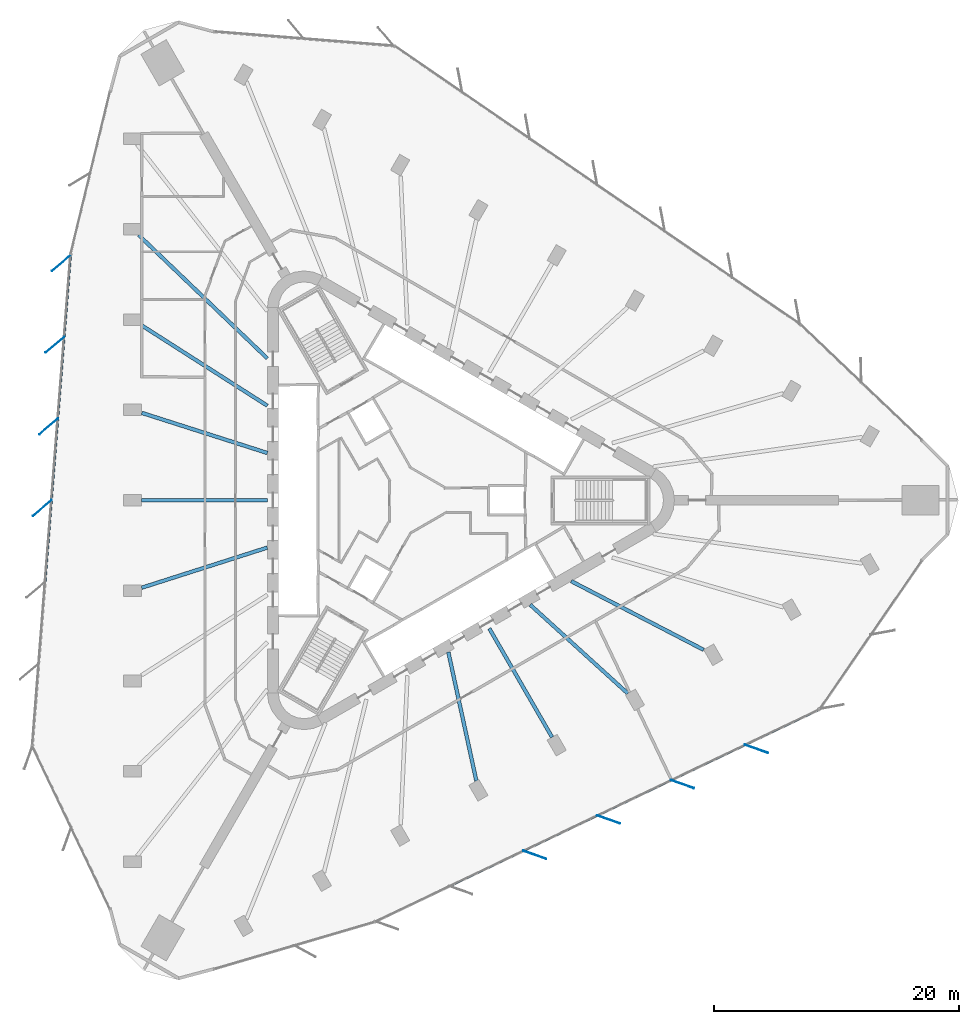
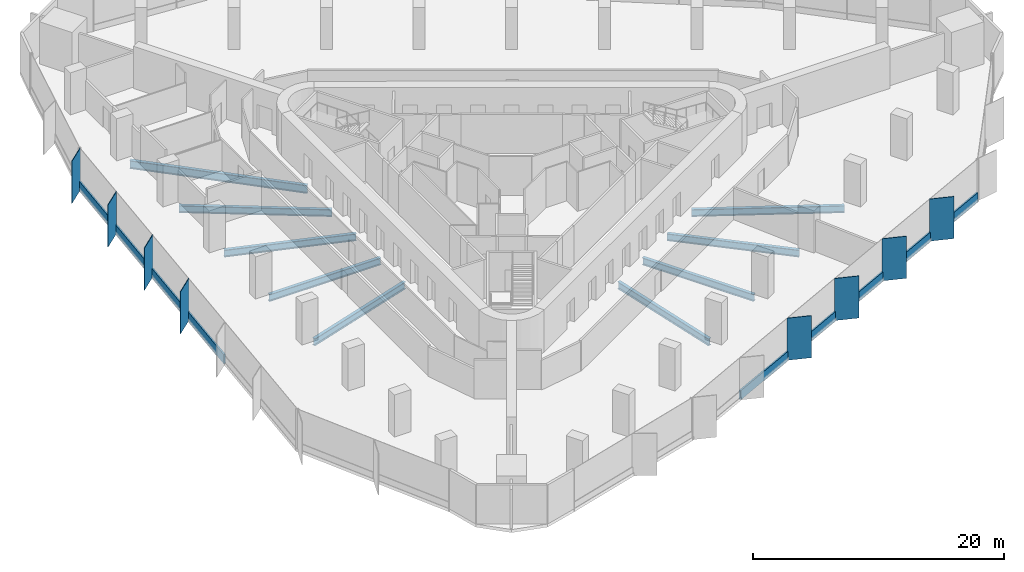
# One storey, part 3 of 14: 17 members, 9 beams, 2 elements without a shape of their own.
"""IFC4 building model written with IfcOpenShell, lengths in metres."""

from ifc_helpers import new_model, si_unit, direction, frame, origin, origin_2d, place, context, subcontext, project, spatial, rectangle, i_section, extrude, material, material_profile, profile_set, type_object, element, aggregate, save


model = new_model("IFC4")

# Units and contexts
model_context = context("Model", 3, precision=1e-05, world=origin(), true_north=direction((0.0, 1.0)))
body_context = subcontext(model_context, "Body", "Model", "MODEL_VIEW")
ifc_project = project(units=[si_unit("LENGTHUNIT", "METRE"), si_unit("AREAUNIT", "SQUARE_METRE"), si_unit("VOLUMEUNIT", "CUBIC_METRE"), si_unit("PLANEANGLEUNIT", "RADIAN"), si_unit("MASSUNIT", "GRAM", prefix="KILO")], contexts=[model_context])

# Site, building, storey
site_placement = place(None, origin())
site = spatial("IfcSite", under=ifc_project, at=site_placement, CompositionType="ELEMENT")
building_placement = place(site_placement, origin())
building = spatial("IfcBuilding", under=site, at=building_placement, Name="Tanit Gate Tower", CompositionType="ELEMENT")
storey_placement = place(building_placement, frame((0.0, 0.0, 86.5)))
storey = spatial("IfcBuildingStorey", under=building, at=storey_placement, Name="L17", CompositionType="ELEMENT", Elevation=86.5)

# Curtain wall, members
ifc_material_1 = material(Name="Aluminium bronze anodised and glass", Category="aluminium")
curtain_wall_type = type_object("IfcCurtainWallType", Name="Curtain wall typical low", PredefinedType="NOTDEFINED", material=ifc_material_1)
curtain_wall_1_placement = place(storey_placement, origin())
curtain_wall_1 = element("IfcCurtainWall", 1, at=curtain_wall_1_placement, inside=storey, type_object=curtain_wall_type, Name="Curtain wall L17 W2", PredefinedType="NOTDEFINED")
ifc_material_2 = material(Name="Aluminium bronze anodised", Category="aluminium")
ifc_material_profile_1 = material_profile(ifc_material_2, rectangle(XDim=2.0, YDim=0.055908203125, at=origin_2d()), Name="56x2000 bronze fin mullion")
ifc_profile_set_1 = profile_set([ifc_material_profile_1], Name="Aluminium bronze anodised")
member_type_1 = type_object("IfcMemberType", Name="FIN MULLION 56x2000 bronze", PredefinedType="MULLION", material=ifc_profile_set_1)
member_1_placement = place(storey_placement, frame((-28.95263671875, 19.40625, -0.300048828125), z_axis=(0.0, 0.0, 1.0), x_axis=(0.75991198916, 0.650025975428, 0.0)))
member_1 = element("IfcMember", 2, at=member_1_placement, type_object=member_type_1, Name="Fin mullion L17 W2.1", PredefinedType="MULLION", context=body_context, shape_type="SweptSolid", body=[
    extrude(rectangle(XDim=2.0, YDim=0.055908203125, at=origin_2d()), origin(), (0.0, 0.0, 1.0), 4.10009765625),
])
member_2_placement = place(storey_placement, frame((-29.47314453125, 12.726318359375, -0.300048828125), z_axis=(0.0, 0.0, 1.0), x_axis=(0.75991198916, 0.650025975428, 0.0)))
member_2 = element("IfcMember", 3, at=member_2_placement, type_object=member_type_1, Name="Fin mullion L17 W2.2", PredefinedType="MULLION", context=body_context, shape_type="SweptSolid", body=[
    extrude(rectangle(XDim=2.0, YDim=0.055908203125, at=origin_2d()), origin(), (0.0, 0.0, 1.0), 4.10009765625),
])
member_3_placement = place(storey_placement, frame((-29.99365234375, 6.04638671875, -0.300048828125), z_axis=(0.0, 0.0, 1.0), x_axis=(0.75991198916, 0.650025975428, 0.0)))
member_3 = element("IfcMember", 4, at=member_3_placement, type_object=member_type_1, Name="Fin mullion L17 W2.3", PredefinedType="MULLION", context=body_context, shape_type="SweptSolid", body=[
    extrude(rectangle(XDim=2.0, YDim=0.055908203125, at=origin_2d()), origin(), (0.0, 0.0, 1.0), 4.10009765625),
])
member_4_placement = place(storey_placement, frame((-30.514404296875, -0.633544921875, -0.300048828125), z_axis=(0.0, 0.0, 1.0), x_axis=(0.75991198916, 0.650025975428, 0.0)))
member_4 = element("IfcMember", 5, at=member_4_placement, type_object=member_type_1, Name="Fin mullion L17 W2.4", PredefinedType="MULLION", context=body_context, shape_type="SweptSolid", body=[
    extrude(rectangle(XDim=2.0, YDim=0.055908203125, at=origin_2d()), origin(), (0.0, 0.0, 1.0), 4.10009765625),
])

curtain_wall_2_placement = place(storey_placement, origin())
curtain_wall_2 = element("IfcCurtainWall", 6, at=curtain_wall_2_placement, inside=storey, type_object=curtain_wall_type, Name="Curtain wall L17 SE2", PredefinedType="NOTDEFINED")
member_5_placement = place(storey_placement, frame((9.760498046875, -28.99853515625, -0.300048828125), z_axis=(0.0, 0.0, 1.0), x_axis=(-0.94289500242, 0.333090099539, 0.0)))
member_5 = element("IfcMember", 7, at=member_5_placement, type_object=member_type_1, Name="Fin mullion L17 SE2.3", PredefinedType="MULLION", context=body_context, shape_type="SweptSolid", body=[
    extrude(rectangle(XDim=2.0, YDim=0.055908203125, at=origin_2d()), origin(), (0.0, 0.0, 1.0), 4.10009765625),
])
member_6_placement = place(storey_placement, frame((15.8056640625, -26.109375, -0.300048828125), z_axis=(0.0, 0.0, 1.0), x_axis=(-0.94289500242, 0.333090099539, 0.0)))
member_6 = element("IfcMember", 8, at=member_6_placement, type_object=member_type_1, Name="Fin mullion L17 SE2.4", PredefinedType="MULLION", context=body_context, shape_type="SweptSolid", body=[
    extrude(rectangle(XDim=2.0, YDim=0.055908203125, at=origin_2d()), origin(), (0.0, 0.0, 1.0), 4.10009765625),
])
member_7_placement = place(storey_placement, frame((21.85107421875, -23.220458984375, -0.300048828125), z_axis=(0.0, 0.0, 1.0), x_axis=(-0.94289500242, 0.333090099539, 0.0)))
member_7 = element("IfcMember", 9, at=member_7_placement, type_object=member_type_1, Name="Fin mullion L17 SE2.5", PredefinedType="MULLION", context=body_context, shape_type="SweptSolid", body=[
    extrude(rectangle(XDim=2.0, YDim=0.055908203125, at=origin_2d()), origin(), (0.0, 0.0, 1.0), 4.10009765625),
])
member_8_placement = place(storey_placement, frame((27.896240234375, -20.331298828125, -0.300048828125), z_axis=(0.0, 0.0, 1.0), x_axis=(-0.94289500242, 0.333090099539, 0.0)))
member_8 = element("IfcMember", 10, at=member_8_placement, type_object=member_type_1, Name="Fin mullion L17 SE2.6", PredefinedType="MULLION", context=body_context, shape_type="SweptSolid", body=[
    extrude(rectangle(XDim=2.0, YDim=0.055908203125, at=origin_2d()), origin(), (0.0, 0.0, 1.0), 4.10009765625),
])

# Beams
ifc_material_3 = material(Name="Steel S355", Category="steel")
ifc_material_profile_2 = material_profile(ifc_material_3, i_section(OverallWidth=0.300048828125, OverallDepth=0.68994140625, WebThickness=0.014404296875, FlangeThickness=0.027099609375, FilletRadius=0.027099609375, at=origin_2d()), Name="HEA 700")
ifc_profile_set_2 = profile_set([ifc_material_profile_2], Name="Steel S355")
beam_type_1 = type_object("IfcBeamType", Name="RADIAL GIRDER HEA 700 S355", PredefinedType="BEAM", material=ifc_profile_set_2)
for number, where, z_axis, x_axis, name in (
    (11, (-22.376708984375, -7.151611328125, -0.64501953125), (0.952537085723, 0.304422568682, 0.0), (-0.304422568682, 0.952537085723, 0.0), "RADIAL GIRDER"),
    (12, (4.994873046875, -22.95458984375, -0.64501953125), (-0.212619451543, 0.977135082179, 0.0), (-0.977135082179, -0.212619451543, 0.0), "RADIAL GIRDER"),
):
    element("IfcBeam", number, at=place(storey_placement, frame(where, z_axis=z_axis, x_axis=x_axis)), inside=storey, type_object=beam_type_1, Name=name, PredefinedType="BEAM", context=body_context, shape_type="SweptSolid", body=[
        extrude(i_section(OverallWidth=0.300048828125, OverallDepth=0.68994140625, WebThickness=0.014404296875, FlangeThickness=0.027099609375, FilletRadius=0.027099609375, at=origin_2d()), origin(), (0.0, 0.0, 1.0), 10.78662109375),
    ])
beam_1_placement = place(storey_placement, frame((11.1884765625, -19.37890625, -0.64501953125), z_axis=(-0.500005608904, 0.866022165458, 0.0), x_axis=(-0.866022165458, -0.500005608904, 0.0)))
element("IfcBeam", 13, at=beam_1_placement, inside=storey, type_object=beam_type_1, Name="RADIAL GIRDER", PredefinedType="BEAM", context=body_context, shape_type="SweptSolid", body=[
    extrude(i_section(OverallWidth=0.300048828125, OverallDepth=0.68994140625, WebThickness=0.014404296875, FlangeThickness=0.027099609375, FilletRadius=0.027099609375, at=origin_2d()), origin(), (0.0, 0.0, 1.0), 10.27490234375),
])
beam_2_placement = place(storey_placement, frame((17.382080078125, -15.802978515625, -0.64501953125), z_axis=(-0.739917542408, 0.67269757725, 0.0), x_axis=(-0.67269757725, -0.739917542408, 0.0)))
element("IfcBeam", 14, at=beam_2_placement, inside=storey, type_object=beam_type_1, Name="RADIAL GIRDER", PredefinedType="BEAM", context=body_context, shape_type="SweptSolid", body=[
    extrude(i_section(OverallWidth=0.300048828125, OverallDepth=0.68994140625, WebThickness=0.014404296875, FlangeThickness=0.027099609375, FilletRadius=0.027099609375, at=origin_2d()), origin(), (0.0, 0.0, 1.0), 10.786865234375),
])
beam_3_placement = place(storey_placement, frame((23.5830078125, -12.23095703125, -0.64501953125), z_axis=(-0.887710923004, 0.460401256709, 0.0), x_axis=(-0.460401256709, -0.887710923004, 0.0)))
element("IfcBeam", 15, at=beam_3_placement, inside=storey, type_object=beam_type_1, Name="RADIAL GIRDER", PredefinedType="BEAM", context=body_context, shape_type="SweptSolid", body=[
    extrude(i_section(OverallWidth=0.300048828125, OverallDepth=0.68994140625, WebThickness=0.014404296875, FlangeThickness=0.027099609375, FilletRadius=0.027099609375, at=origin_2d()), origin(), (0.0, 0.0, 1.0), 12.20263671875),
])
beam_4_placement = place(storey_placement, frame((-22.3837890625, 14.307861328125, -0.64501953125), z_axis=(0.842570670287, -0.538585801494, 0.0), x_axis=(0.538585801494, 0.842570670287, 0.0)))
element("IfcBeam", 16, at=beam_4_placement, inside=storey, type_object=beam_type_1, Name="RADIAL GIRDER", PredefinedType="BEAM", context=body_context, shape_type="SweptSolid", body=[
    extrude(i_section(OverallWidth=0.300048828125, OverallDepth=0.68994140625, WebThickness=0.014404296875, FlangeThickness=0.027099609375, FilletRadius=0.027099609375, at=origin_2d()), origin(), (0.0, 0.0, 1.0), 12.202880859375),
])
beam_5_placement = place(storey_placement, frame((-22.376708984375, 7.151611328125, -0.64501953125), z_axis=(0.952537085723, -0.304422568682, 0.0), x_axis=(0.304422568682, 0.952537085723, 0.0)))
element("IfcBeam", 17, at=beam_5_placement, inside=storey, type_object=beam_type_1, Name="RADIAL GIRDER", PredefinedType="BEAM", context=body_context, shape_type="SweptSolid", body=[
    extrude(i_section(OverallWidth=0.300048828125, OverallDepth=0.68994140625, WebThickness=0.014404296875, FlangeThickness=0.027099609375, FilletRadius=0.027099609375, at=origin_2d()), origin(), (0.0, 0.0, 1.0), 10.78662109375),
])
beam_6_placement = place(storey_placement, frame((-22.376708984375, 0.0, -0.64501953125), z_axis=(1.0, 0.0, 0.0), x_axis=(0.0, 1.0, 0.0)))
element("IfcBeam", 18, at=beam_6_placement, inside=storey, type_object=beam_type_1, Name="RADIAL GIRDER", PredefinedType="BEAM", context=body_context, shape_type="SweptSolid", body=[
    extrude(i_section(OverallWidth=0.300048828125, OverallDepth=0.68994140625, WebThickness=0.014404296875, FlangeThickness=0.027099609375, FilletRadius=0.027099609375, at=origin_2d()), origin(), (0.0, 0.0, 1.0), 10.274658203125),
])
ifc_material_4 = material(Name="Steel S355", Category="steel")
ifc_material_profile_3 = material_profile(ifc_material_4, i_section(OverallWidth=0.300048828125, OverallDepth=0.7900390625, WebThickness=0.014892578125, FlangeThickness=0.028076171875, FilletRadius=0.030029296875, at=origin_2d()), Name="HEA 800")
ifc_profile_set_3 = profile_set([ifc_material_profile_3], Name="Steel S355")
beam_type_2 = type_object("IfcBeamType", Name="RADIAL GIRDER HEA 800 S355", PredefinedType="BEAM", material=ifc_profile_set_3)
beam_7_placement = place(storey_placement, frame((-22.63134765625, 21.69921875, -0.695068359375), z_axis=(0.721812607452, -0.692088549048, 0.0), x_axis=(0.692088549048, 0.721812607452, 0.0)))
element("IfcBeam", 19, at=beam_7_placement, inside=storey, type_object=beam_type_2, Name="RADIAL GIRDER", PredefinedType="BEAM", context=body_context, shape_type="SweptSolid", body=[
    extrude(i_section(OverallWidth=0.300048828125, OverallDepth=0.7900390625, WebThickness=0.014892578125, FlangeThickness=0.028076171875, FilletRadius=0.030029296875, at=origin_2d()), origin(), (0.0, 0.0, 1.0), 14.58740234375),
])

# Member
ifc_material_5 = material(Name="Aluminium bronze anodised", Category="aluminium")
ifc_material_profile_4 = material_profile(ifc_material_5, rectangle(XDim=0.159912109375, YDim=0.89990234375, at=origin_2d()), Name="160x900 bronze transom")
ifc_profile_set_4 = profile_set([ifc_material_profile_4], Name="Aluminium bronze anodised")
member_type_2 = type_object("IfcMemberType", Name="Transom 160x900 typical low", PredefinedType="USERDEFINED", material=ifc_profile_set_4)
member_9_placement = place(storey_placement, frame((-28.212890625, 20.001708984375, 0.14990234375), z_axis=(-0.077703246028, -0.996976532099, 0.0), x_axis=(0.996976532099, -0.077703246028, 0.0)))
member_9 = element("IfcMember", 20, at=member_9_placement, type_object=member_type_2, Name="Transom L17 W2.1", ObjectType="TRANSOM", PredefinedType="USERDEFINED", context=body_context, shape_type="SweptSolid", body=[
    extrude(rectangle(XDim=0.159912109375, YDim=0.89990234375, at=origin_2d()), origin(), (0.0, 0.0, 1.0), 6.6201171875),
])

member_10_placement = place(storey_placement, frame((-28.733642578125, 13.32177734375, 0.14990234375), z_axis=(-0.077703246028, -0.996976532099, 0.0), x_axis=(0.996976532099, -0.077703246028, 0.0)))
member_10 = element("IfcMember", 21, at=member_10_placement, type_object=member_type_2, Name="Transom L17 W2.2", ObjectType="TRANSOM", PredefinedType="USERDEFINED", context=body_context, shape_type="SweptSolid", body=[
    extrude(rectangle(XDim=0.159912109375, YDim=0.89990234375, at=origin_2d()), origin(), (0.0, 0.0, 1.0), 6.6201171875),
])

member_11_placement = place(storey_placement, frame((-29.254150390625, 6.641845703125, 0.14990234375), z_axis=(-0.077703246028, -0.996976532099, 0.0), x_axis=(0.996976532099, -0.077703246028, 0.0)))
member_11 = element("IfcMember", 22, at=member_11_placement, type_object=member_type_2, Name="Transom L17 W2.3", ObjectType="TRANSOM", PredefinedType="USERDEFINED", context=body_context, shape_type="SweptSolid", body=[
    extrude(rectangle(XDim=0.159912109375, YDim=0.89990234375, at=origin_2d()), origin(), (0.0, 0.0, 1.0), 6.6201171875),
])

member_12_placement = place(storey_placement, frame((-29.774658203125, -0.0380859375, 0.14990234375), z_axis=(-0.077703246028, -0.996976532099, 0.0), x_axis=(0.996976532099, -0.077703246028, 0.0)))
member_12 = element("IfcMember", 23, at=member_12_placement, type_object=member_type_2, Name="Transom L17 W2.4", ObjectType="TRANSOM", PredefinedType="USERDEFINED", context=body_context, shape_type="SweptSolid", body=[
    extrude(rectangle(XDim=0.159912109375, YDim=0.89990234375, at=origin_2d()), origin(), (0.0, 0.0, 1.0), 6.6201171875),
])

aggregate(curtain_wall_1, [member_1, member_2, member_3, member_4, member_9, member_10, member_11, member_12])

member_13_placement = place(storey_placement, frame((2.829833984375, -31.544921875, 0.14990234375), z_axis=(0.902250892511, 0.431211464323, 0.0), x_axis=(-0.431211464323, 0.902250892511, 0.0)))
member_13 = element("IfcMember", 24, at=member_13_placement, type_object=member_type_2, Name="Transom L17 SE2.2", ObjectType="TRANSOM", PredefinedType="USERDEFINED", context=body_context, shape_type="SweptSolid", body=[
    extrude(rectangle(XDim=0.159912109375, YDim=0.89990234375, at=origin_2d()), origin(), (0.0, 0.0, 1.0), 6.620361328125),
])

member_14_placement = place(storey_placement, frame((8.875, -28.65576171875, 0.14990234375), z_axis=(0.902265239929, 0.431181443033, 0.0), x_axis=(-0.431181443033, 0.902265239929, 0.0)))
member_14 = element("IfcMember", 25, at=member_14_placement, type_object=member_type_2, Name="Transom L17 SE2.3", ObjectType="TRANSOM", PredefinedType="USERDEFINED", context=body_context, shape_type="SweptSolid", body=[
    extrude(rectangle(XDim=0.159912109375, YDim=0.89990234375, at=origin_2d()), origin(), (0.0, 0.0, 1.0), 6.6201171875),
])

member_15_placement = place(storey_placement, frame((14.920166015625, -25.7666015625, 0.14990234375), z_axis=(0.902265239929, 0.431181443033, 0.0), x_axis=(-0.431181443033, 0.902265239929, 0.0)))
member_15 = element("IfcMember", 26, at=member_15_placement, type_object=member_type_2, Name="Transom L17 SE2.4", ObjectType="TRANSOM", PredefinedType="USERDEFINED", context=body_context, shape_type="SweptSolid", body=[
    extrude(rectangle(XDim=0.159912109375, YDim=0.89990234375, at=origin_2d()), origin(), (0.0, 0.0, 1.0), 6.6201171875),
])

member_16_placement = place(storey_placement, frame((20.965576171875, -22.877685546875, 0.14990234375), z_axis=(0.902250892511, 0.431211464323, 0.0), x_axis=(-0.431211464323, 0.902250892511, 0.0)))
member_16 = element("IfcMember", 27, at=member_16_placement, type_object=member_type_2, Name="Transom L17 SE2.5", ObjectType="TRANSOM", PredefinedType="USERDEFINED", context=body_context, shape_type="SweptSolid", body=[
    extrude(rectangle(XDim=0.159912109375, YDim=0.89990234375, at=origin_2d()), origin(), (0.0, 0.0, 1.0), 6.620361328125),
])

member_17_placement = place(storey_placement, frame((27.0107421875, -19.988525390625, 0.14990234375), z_axis=(0.902265239929, 0.431181443033, 0.0), x_axis=(-0.431181443033, 0.902265239929, 0.0)))
member_17 = element("IfcMember", 28, at=member_17_placement, type_object=member_type_2, Name="Transom L17 SE2.6", ObjectType="TRANSOM", PredefinedType="USERDEFINED", context=body_context, shape_type="SweptSolid", body=[
    extrude(rectangle(XDim=0.159912109375, YDim=0.89990234375, at=origin_2d()), origin(), (0.0, 0.0, 1.0), 6.6201171875),
])

aggregate(curtain_wall_2, [member_5, member_6, member_7, member_8, member_13, member_14, member_15, member_16, member_17])

save(model, "model.ifc")
